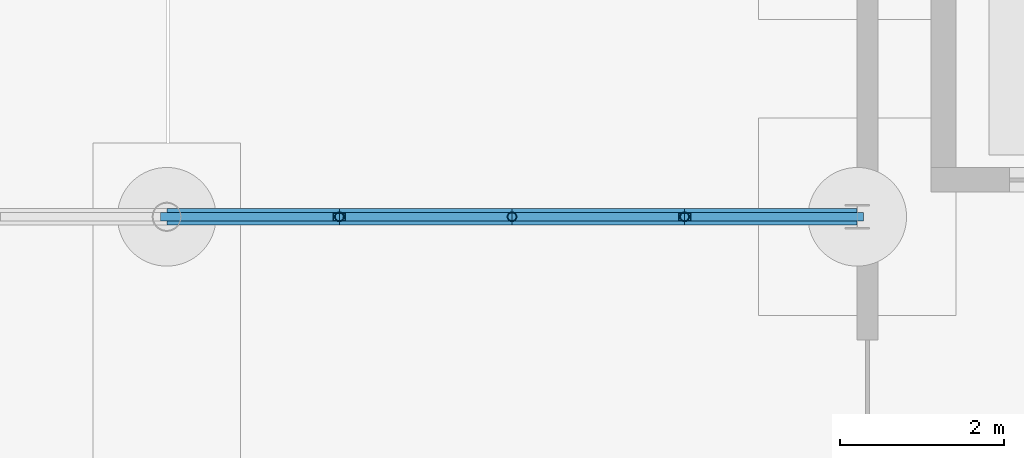
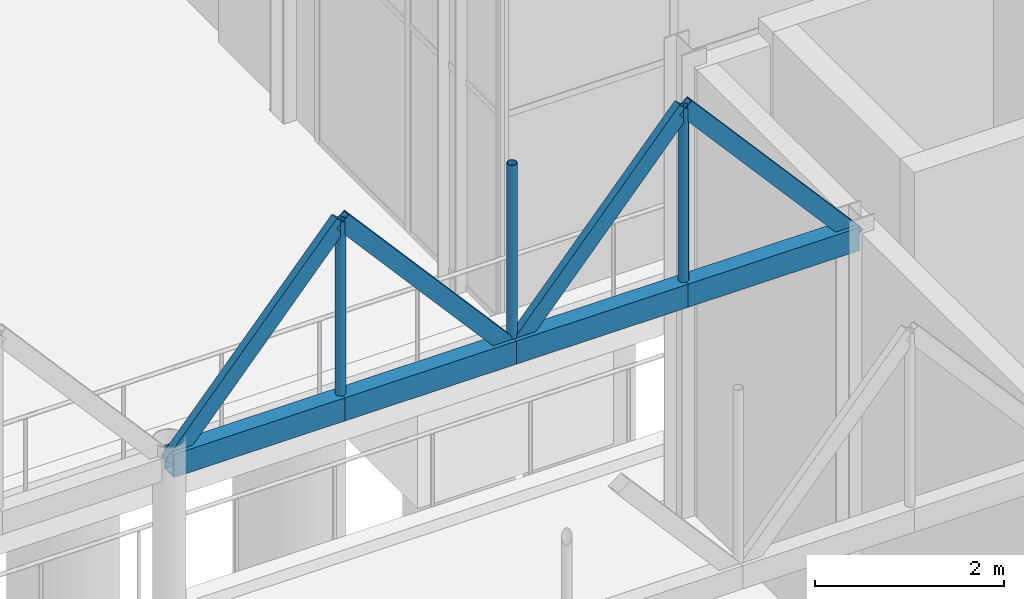
# One storey, part 117 of 212: 11 members.
"""IFC4 building model written with IfcOpenShell, lengths in metres."""

from ifc_helpers import new_model, si_unit, direction, frame, origin, origin_2d, place, context, subcontext, project, spatial, hollow_rectangle, hollow_circle, extrude, material, material_profile, profile_set, type_object, element, save


model = new_model("IFC4")

# Units and contexts
model_context = context("Model", 3, precision=1e-05, world=origin(), true_north=direction((0.0, 1.0)))
body_context = subcontext(model_context, "Body", "Model", "MODEL_VIEW")
ifc_project = project(units=[si_unit("LENGTHUNIT", "METRE"), si_unit("AREAUNIT", "SQUARE_METRE"), si_unit("VOLUMEUNIT", "CUBIC_METRE"), si_unit("PLANEANGLEUNIT", "RADIAN"), si_unit("MASSUNIT", "GRAM", prefix="KILO")], contexts=[model_context])

# Site, building, storey
site_placement = place(None, origin())
site = spatial("IfcSite", under=ifc_project, at=site_placement, CompositionType="ELEMENT")
building_placement = place(site_placement, origin())
building = spatial("IfcBuilding", under=site, at=building_placement, Name="Catenary Quay Ferry Terminal", CompositionType="ELEMENT")
storey_placement = place(building_placement, origin())
storey = spatial("IfcBuildingStorey", under=building, at=storey_placement, Name="L00", CompositionType="ELEMENT", Elevation=0.0)

# Members
ifc_material_1 = material(Name="Steel S355", Category="steel")
ifc_material_profile_1 = material_profile(ifc_material_1, hollow_rectangle(XDim=0.10009765625, YDim=0.199951171875, WallThickness=0.008056640625, at=origin_2d()), Name="RHS 200x100x8")
ifc_profile_set_1 = profile_set([ifc_material_profile_1], Name="Steel S355")
member_type_1 = type_object("IfcMemberType", Name="BR3 RHS 200x100x8", PredefinedType="BRACE", material=ifc_profile_set_1)
member_1_placement = place(storey_placement, frame((117.60009765625, 78.0, 5.699951171875), z_axis=(0.658455827614, 0.0, 0.752619374639), x_axis=(0.0, 1.0, 0.0)))
element("IfcMember", 1, at=member_1_placement, inside=storey, type_object=member_type_1, Name="Bridge diagonal BB1N-D13", PredefinedType="BRACE", context=body_context, shape_type="SweptSolid", body=[
    extrude(hollow_rectangle(XDim=0.10009765625, YDim=0.199951171875, WallThickness=0.008056640625, at=origin_2d()), origin(), (0.0, 0.0, 1.0), 3.18896484375),
])
member_2_placement = place(storey_placement, frame((119.699951171875, 78.0, 8.10009765625), z_axis=(0.65849918825, 0.0, -0.752581436839), x_axis=(0.0, 1.0, 0.0)))
element("IfcMember", 2, at=member_2_placement, inside=storey, type_object=member_type_1, Name="Bridge diagonal BB1N-D14", PredefinedType="BRACE", context=body_context, shape_type="SweptSolid", body=[
    extrude(hollow_rectangle(XDim=0.10009765625, YDim=0.199951171875, WallThickness=0.008056640625, at=origin_2d()), origin(), (0.0, 0.0, 1.0), 3.189208984375),
])
member_3_placement = place(storey_placement, frame((121.800048828125, 78.0, 5.699951171875), z_axis=(0.658455827614, 0.0, 0.752619374639), x_axis=(0.0, 1.0, 0.0)))
element("IfcMember", 3, at=member_3_placement, inside=storey, type_object=member_type_1, Name="Bridge diagonal BB1N-D15", PredefinedType="BRACE", context=body_context, shape_type="SweptSolid", body=[
    extrude(hollow_rectangle(XDim=0.10009765625, YDim=0.199951171875, WallThickness=0.008056640625, at=origin_2d()), origin(), (0.0, 0.0, 1.0), 3.18896484375),
])
member_4_placement = place(storey_placement, frame((123.89990234375, 78.0, 8.10009765625), z_axis=(0.65849918825, 0.0, -0.752581436839), x_axis=(0.0, 1.0, 0.0)))
element("IfcMember", 4, at=member_4_placement, inside=storey, type_object=member_type_1, Name="Bridge diagonal BB1N-D16", PredefinedType="BRACE", context=body_context, shape_type="SweptSolid", body=[
    extrude(hollow_rectangle(XDim=0.10009765625, YDim=0.199951171875, WallThickness=0.008056640625, at=origin_2d()), origin(), (0.0, 0.0, 1.0), 3.189208984375),
])
ifc_material_2 = material(Name="Steel S355", Category="steel")
ifc_material_profile_2 = material_profile(ifc_material_2, hollow_circle(Radius=0.05712890625, WallThickness=0.00634765625, at=origin_2d()), Name="CHS 114.3x6.3")
ifc_profile_set_2 = profile_set([ifc_material_profile_2], Name="Steel S355")
member_type_2 = type_object("IfcMemberType", Name="HG1 CHS 114.3x6.3", PredefinedType="POST", material=ifc_profile_set_2)
for number, where, z_axis, x_axis, name in (
    (5, (119.699951171875, 78.0, 5.699951171875), (0.0, 0.0, 1.0), (1.0, 0.0, 0.0), "Bridge post BB1N-P14"),
    (6, (121.800048828125, 78.0, 5.699951171875), (0.0, 0.0, 1.0), (1.0, 0.0, 0.0), "Bridge post BB1N-P15"),
    (7, (123.89990234375, 78.0, 5.699951171875), (0.0, 0.0, 1.0), (1.0, 0.0, 0.0), "Bridge post BB1N-P16"),
):
    element("IfcMember", number, at=place(storey_placement, frame(where, z_axis=z_axis, x_axis=x_axis)), inside=storey, type_object=member_type_2, Name=name, PredefinedType="POST", context=body_context, shape_type="SweptSolid", body=[
        extrude(hollow_circle(Radius=0.05712890625, WallThickness=0.00634765625, at=origin_2d()), origin(), (0.0, 0.0, 1.0), 2.400146484375),
    ])
ifc_material_3 = material(Name="Steel S355", Category="steel")
ifc_material_profile_3 = material_profile(ifc_material_3, hollow_rectangle(XDim=0.199951171875, YDim=0.300048828125, WallThickness=0.012451171875, at=origin_2d()), Name="RHS 300x200x12.5")
ifc_profile_set_3 = profile_set([ifc_material_profile_3], Name="Steel S355")
member_type_3 = type_object("IfcMemberType", Name="TC1 RHS 300x200x12.5", PredefinedType="CHORD", material=ifc_profile_set_3)
member_5_placement = place(storey_placement, frame((117.60009765625, 78.0, 5.699951171875), z_axis=(1.0, 0.0, 0.0), x_axis=(0.0, 1.0, 0.0)))
element("IfcMember", 8, at=member_5_placement, inside=storey, type_object=member_type_3, Name="Bridge bottom chord BB1N-BC13", PredefinedType="CHORD", context=body_context, shape_type="SweptSolid", body=[
    extrude(hollow_rectangle(XDim=0.199951171875, YDim=0.300048828125, WallThickness=0.012451171875, at=origin_2d()), origin(), (0.0, 0.0, 1.0), 2.099853515625),
])
member_6_placement = place(storey_placement, frame((119.699951171875, 78.0, 5.699951171875), z_axis=(1.0, 0.0, 0.0), x_axis=(0.0, 1.0, 0.0)))
element("IfcMember", 9, at=member_6_placement, inside=storey, type_object=member_type_3, Name="Bridge bottom chord BB1N-BC14", PredefinedType="CHORD", context=body_context, shape_type="SweptSolid", body=[
    extrude(hollow_rectangle(XDim=0.199951171875, YDim=0.300048828125, WallThickness=0.012451171875, at=origin_2d()), origin(), (0.0, 0.0, 1.0), 2.10009765625),
])
member_7_placement = place(storey_placement, frame((121.800048828125, 78.0, 5.699951171875), z_axis=(1.0, 0.0, 0.0), x_axis=(0.0, 1.0, 0.0)))
element("IfcMember", 10, at=member_7_placement, inside=storey, type_object=member_type_3, Name="Bridge bottom chord BB1N-BC15", PredefinedType="CHORD", context=body_context, shape_type="SweptSolid", body=[
    extrude(hollow_rectangle(XDim=0.199951171875, YDim=0.300048828125, WallThickness=0.012451171875, at=origin_2d()), origin(), (0.0, 0.0, 1.0), 2.099853515625),
])
member_8_placement = place(storey_placement, frame((123.89990234375, 78.0, 5.699951171875), z_axis=(1.0, 0.0, 0.0), x_axis=(0.0, 1.0, 0.0)))
element("IfcMember", 11, at=member_8_placement, inside=storey, type_object=member_type_3, Name="Bridge bottom chord BB1N-BC16", PredefinedType="CHORD", context=body_context, shape_type="SweptSolid", body=[
    extrude(hollow_rectangle(XDim=0.199951171875, YDim=0.300048828125, WallThickness=0.012451171875, at=origin_2d()), origin(), (0.0, 0.0, 1.0), 2.10009765625),
])

save(model, "model.ifc")
